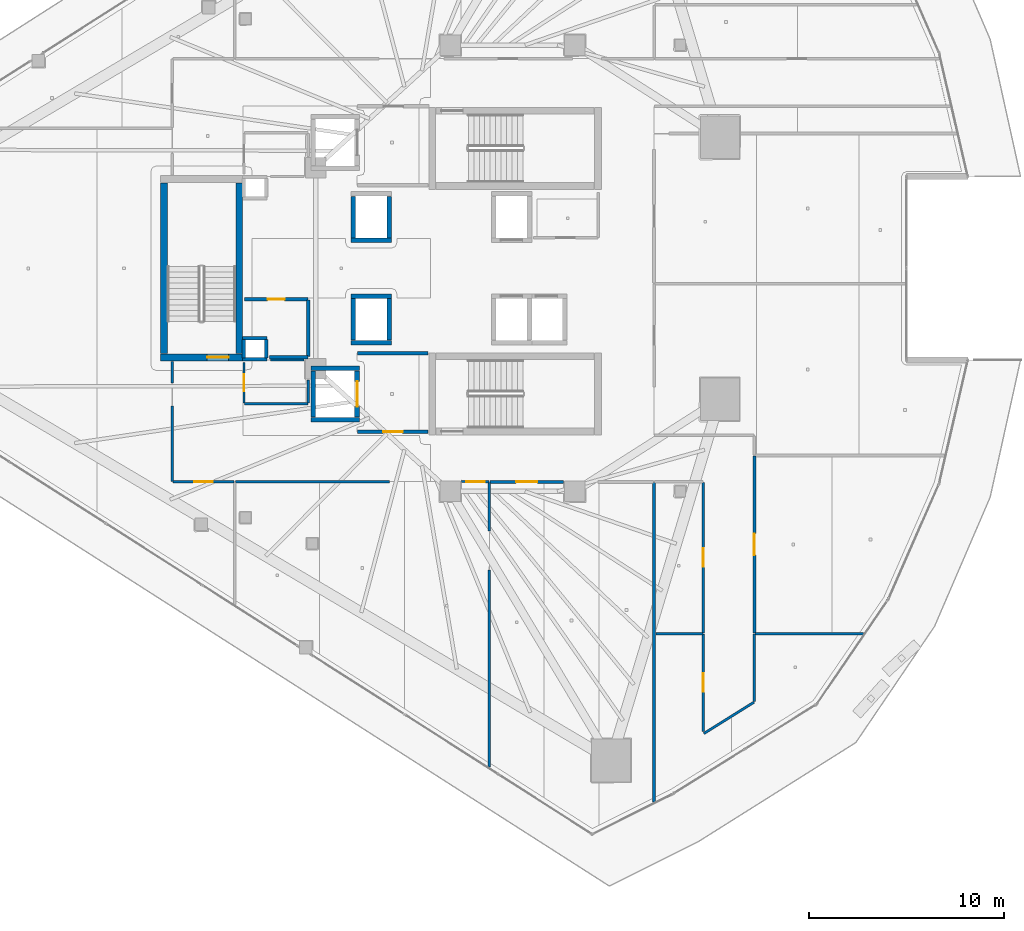
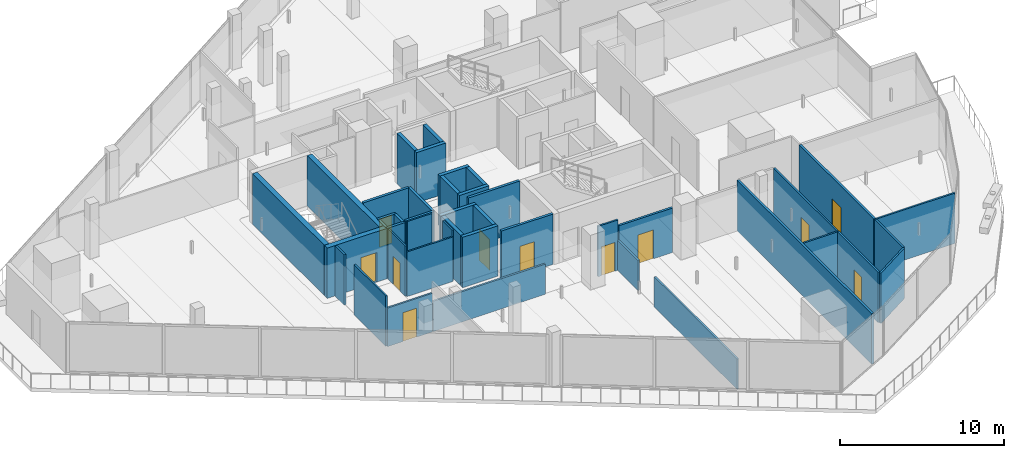
# One storey, part 24 of 36: 43 walls, 11 doors, 11 openings.
"""IFC4 building model written with IfcOpenShell, lengths in metres."""

from ifc_helpers import new_model, si_unit, direction, frame, frame_2d, origin, place, context, subcontext, project, spatial, rectangle, extrude, material, layer, layer_set, type_object, element, fill, save


model = new_model("IFC4")

# Units and contexts
model_context = context("Model", 3, precision=1e-05, world=origin(), true_north=direction((0.0, 1.0)))
body_context = subcontext(model_context, "Body", "Model", "MODEL_VIEW")
ifc_project = project(units=[si_unit("LENGTHUNIT", "METRE"), si_unit("AREAUNIT", "SQUARE_METRE"), si_unit("VOLUMEUNIT", "CUBIC_METRE"), si_unit("PLANEANGLEUNIT", "RADIAN"), si_unit("MASSUNIT", "GRAM", prefix="KILO")], contexts=[model_context])

# Site, building, storey
site_placement = place(None, origin())
site = spatial("IfcSite", under=ifc_project, at=site_placement, CompositionType="ELEMENT")
building_placement = place(site_placement, origin())
building = spatial("IfcBuilding", under=site, at=building_placement, Name="Qorvath Tower", CompositionType="ELEMENT")
storey_placement = place(building_placement, frame((0.0, 0.0, 170.550048828125)))
storey = spatial("IfcBuildingStorey", under=building, at=storey_placement, Name="L39", CompositionType="ELEMENT", Elevation=170.550048828125)

# Walls
ifc_material_1 = material(Name="Gypsum shaftliner on steel studs", Category="steel")
ifc_layer_1 = layer(ifc_material_1, 0.179931640625)
ifc_layer_set_1 = layer_set([ifc_layer_1], Name="FW-LOBBY")
wall_type_1 = type_object("IfcWallType", Name="FW-LOBBY", PredefinedType="PARTITIONING", material=ifc_layer_set_1)
for number, where, z_axis, x_axis, name in (
    (1, (-32.989990234375, -4.675048828125, 0.0), (0.0, 0.0, 1.0), (-1.0, 0.0, 0.0), "MEP Riser Shaft Enclosure Wall S-L39-S"),
    (2, (-34.260009765625, -3.594970703125, 0.0), (0.0, 0.0, 1.0), (1.0, 0.0, 0.0), "MEP Riser Shaft Enclosure Wall S-L39-N"),
):
    element("IfcWall", number, at=place(storey_placement, frame(where, z_axis=z_axis, x_axis=x_axis)), inside=storey, type_object=wall_type_1, Name=name, PredefinedType="PARTITIONING", context=body_context, shape_type="SweptSolid", body=[
        extrude(rectangle(XDim=1.27001953125, YDim=0.179931640625, at=frame_2d((0.635009765625, 0.0))), origin(), (0.0, 0.0, 1.0), 3.75),
    ])
for number, where, z_axis, x_axis, name in (
    (3, (-34.205078125, -4.610107421875, 0.0), (0.0, 0.0, 1.0), (0.0, 1.0, 0.0), "MEP Riser Shaft Enclosure Wall S-L39-W"),
    (4, (-33.044921875, -3.659912109375, 0.0), (0.0, 0.0, 1.0), (0.0, -1.0, 0.0), "MEP Riser Shaft Enclosure Wall S-L39-E"),
):
    element("IfcWall", number, at=place(storey_placement, frame(where, z_axis=z_axis, x_axis=x_axis)), inside=storey, type_object=wall_type_1, Name=name, PredefinedType="PARTITIONING", context=body_context, shape_type="SweptSolid", body=[
        extrude(rectangle(XDim=0.9501953125, YDim=0.179931640625, at=frame_2d((0.47509765625, 0.0))), origin(), (0.0, 0.0, 1.0), 3.75),
    ])

# Wall, opening, door
wall_1_placement = place(storey_placement, frame((-28.35498046875, -8.39990234375, 0.0), z_axis=(0.0, 0.0, 1.0), x_axis=(1.0, 0.0, 0.0)))
wall_1 = element("IfcWall", 5, at=wall_1_placement, inside=storey, type_object=wall_type_1, Name="Interior Partition IW-T1-L39-003", PredefinedType="PARTITIONING", context=body_context, shape_type="SweptSolid", body=[
    extrude(rectangle(XDim=3.6220703125, YDim=0.179931640625, at=frame_2d((1.81103515625, 0.0))), origin(), (0.0, 0.0, 1.0), 3.75),
])
opening_1_placement = place(wall_1_placement, frame((1.31103515625, 0.0, 0.0)))
opening_1 = element("IfcOpeningElement", 6, at=opening_1_placement, cuts=wall_1, Name="Opening D-T1-L39-15", PredefinedType="OPENING", context=body_context, shape_type="SweptSolid", body=[
    extrude(rectangle(XDim=1.0, YDim=2.14990234375, at=frame_2d((0.5, 1.074951171875))), frame((0.0, 0.10009765625, 0.0), z_axis=(0.0, -1.0, 0.0), x_axis=(1.0, 0.0, 0.0)), (0.0, 0.0, 1.0), 0.199951171875),
])
ifc_material_2 = material(Name="Painted galvanised hollow metal", Category="steel")
door_type_1 = type_object("IfcDoorType", Name="FD-60", OperationType="NOTDEFINED", PredefinedType="DOOR", material=ifc_material_2)
door_1_placement = place(opening_1_placement, origin())
door_1 = element("IfcDoor", 7, at=door_1_placement, inside=storey, type_object=door_type_1, Name="Lobby Fire Service Elevator South Door D-T1-L39-15", OperationType="SINGLE_SWING_RIGHT", OverallHeight=2.14990234375, OverallWidth=1.0, PredefinedType="DOOR", context=body_context, shape_type="SweptSolid", body=[
    extrude(rectangle(XDim=1.0, YDim=2.14990234375, at=frame_2d((0.5, 1.074951171875))), frame((0.0, 0.02490234375, 0.0), z_axis=(0.0, -1.0, 0.0), x_axis=(1.0, 0.0, 0.0)), (0.0, 0.0, 1.0), 0.050048828125),
])
fill(opening_1, door_1)

# Walls
wall_2_placement = place(storey_placement, frame((-24.73291015625, -4.35009765625, 0.0), z_axis=(0.0, 0.0, 1.0), x_axis=(-1.0, 0.0, 0.0)))
element("IfcWall", 8, at=wall_2_placement, inside=storey, type_object=wall_type_1, Name="Interior Partition IW-T1-L39-004", PredefinedType="PARTITIONING", context=body_context, shape_type="SweptSolid", body=[
    extrude(rectangle(XDim=3.6220703125, YDim=0.179931640625, at=frame_2d((1.81103515625, 0.0))), origin(), (0.0, 0.0, 1.0), 3.75),
])
wall_3_placement = place(storey_placement, frame((-32.8798828125, -4.56005859375, 0.0), z_axis=(0.0, 0.0, 1.0), x_axis=(1.0, 0.0, 0.0)))
element("IfcWall", 9, at=wall_3_placement, inside=storey, type_object=wall_type_1, Name="Interior Partition IW-T1-L39-015", PredefinedType="PARTITIONING", context=body_context, shape_type="SweptSolid", body=[
    extrude(rectangle(XDim=1.97509765625, YDim=0.179931640625, at=frame_2d((0.987548828125, 0.0))), origin(), (0.0, 0.0, 1.0), 3.75),
])
wall_4_placement = place(storey_placement, frame((-30.8798828125, -4.53515625, 0.0), z_axis=(0.0, 0.0, 1.0), x_axis=(0.0, 1.0, 0.0)))
element("IfcWall", 10, at=wall_4_placement, inside=storey, type_object=wall_type_1, Name="Interior Partition IW-T1-L39-016", PredefinedType="PARTITIONING", context=body_context, shape_type="SweptSolid", body=[
    extrude(rectangle(XDim=2.91015625, YDim=0.179931640625, at=frame_2d((1.455078125, 0.0))), origin(), (0.0, 0.0, 1.0), 3.75),
])

# Wall, opening, door
wall_5_placement = place(storey_placement, frame((-30.90478515625, -1.60009765625, 0.0), z_axis=(0.0, 0.0, 1.0), x_axis=(-1.0, 0.0, 0.0)))
wall_5 = element("IfcWall", 11, at=wall_5_placement, inside=storey, type_object=wall_type_1, Name="Interior Partition IW-T1-L39-017", PredefinedType="PARTITIONING", context=body_context, shape_type="SweptSolid", body=[
    extrude(rectangle(XDim=3.25, YDim=0.179931640625, at=frame_2d((1.625, 0.0))), origin(), (0.0, 0.0, 1.0), 3.75),
])
opening_2_placement = place(wall_5_placement, frame((1.18505859375, 0.0, 0.0)))
opening_2 = element("IfcOpeningElement", 12, at=opening_2_placement, cuts=wall_5, Name="Opening D-T1-L39-04", PredefinedType="OPENING", context=body_context, shape_type="SweptSolid", body=[
    extrude(rectangle(XDim=0.8798828125, YDim=2.10009765625, at=frame_2d((0.43994140625, 1.050048828125))), frame((0.0, 0.10009765625, 0.0), z_axis=(0.0, -1.0, 0.0), x_axis=(1.0, 0.0, 0.0)), (0.0, 0.0, 1.0), 0.199951171875),
])
ifc_material_3 = material(Name="Painted galvanised hollow metal", Category="steel")
door_type_2 = type_object("IfcDoorType", Name="FD-60N", OperationType="NOTDEFINED", PredefinedType="DOOR", material=ifc_material_3)
door_2_placement = place(opening_2_placement, origin())
door_2 = element("IfcDoor", 13, at=door_2_placement, inside=storey, type_object=door_type_2, Name="Core electrical and cleaner room L39 Door D-T1-L39-04", OperationType="SINGLE_SWING_LEFT", OverallHeight=2.10009765625, OverallWidth=0.8798828125, PredefinedType="DOOR", context=body_context, shape_type="SweptSolid", body=[
    extrude(rectangle(XDim=0.8798828125, YDim=2.10009765625, at=frame_2d((0.43994140625, 1.050048828125))), frame((0.0, 0.02490234375, 0.0), z_axis=(0.0, -1.0, 0.0), x_axis=(1.0, 0.0, 0.0)), (0.0, 0.0, 1.0), 0.050048828125),
])
fill(opening_2, door_2)

ifc_material_4 = material(Name="Double acoustic gypsum board on steel studs", Category="steel")
ifc_layer_2 = layer(ifc_material_4, 0.159912109375)
ifc_layer_set_2 = layer_set([ifc_layer_2], Name="IW-ACOUSTIC-160")
wall_type_2 = type_object("IfcWallType", Name="IW-ACOUSTIC-160", PredefinedType="PARTITIONING", material=ifc_layer_set_2)
wall_6_placement = place(storey_placement, frame((-17.7900390625, -10.9580078125, 0.0), z_axis=(0.0, 0.0, 1.0), x_axis=(-1.0, 0.0, 0.0)))
wall_6 = element("IfcWall", 14, at=wall_6_placement, inside=storey, type_object=wall_type_2, Name="Interior Partition IW-T1-L39-029", PredefinedType="PARTITIONING", context=body_context, shape_type="SweptSolid", body=[
    extrude(rectangle(XDim=3.7646484375, YDim=0.159912109375, at=frame_2d((1.88232421875, 0.0))), origin(), (0.0, 0.0, 1.0), 3.313720703125),
])
opening_3_placement = place(wall_6_placement, frame((1.332275390625, 0.0, 0.0)))
opening_3 = element("IfcOpeningElement", 15, at=opening_3_placement, cuts=wall_6, Name="Opening D-T1-L39-06", PredefinedType="OPENING", context=body_context, shape_type="SweptSolid", body=[
    extrude(rectangle(XDim=1.10009765625, YDim=2.14990234375, at=frame_2d((0.550048828125, 1.074951171875))), frame((0.0, 0.08984375, 0.0), z_axis=(0.0, -1.0, 0.0), x_axis=(1.0, 0.0, 0.0)), (0.0, 0.0, 1.0), 0.179931640625),
])
ifc_material_5 = material(Name="Anodised aluminium acoustic framed glass", Category="aluminium")
door_type_3 = type_object("IfcDoorType", Name="D-03", OperationType="NOTDEFINED", PredefinedType="DOOR", material=ifc_material_5)
door_3_placement = place(opening_3_placement, origin())
door_3 = element("IfcDoor", 16, at=door_3_placement, inside=storey, type_object=door_type_3, Name="L39-03 Digital Visualization Suite Door D-T1-L39-06", OperationType="SINGLE_SWING_LEFT", OverallHeight=2.14990234375, OverallWidth=1.10009765625, PredefinedType="DOOR", context=body_context, shape_type="SweptSolid", body=[
    extrude(rectangle(XDim=1.10009765625, YDim=2.14990234375, at=frame_2d((0.550048828125, 1.074951171875))), frame((0.0, 0.02490234375, 0.0), z_axis=(0.0, -1.0, 0.0), x_axis=(1.0, 0.0, 0.0)), (0.0, 0.0, 1.0), 0.050048828125),
])
fill(opening_3, door_3)

# Wall
wall_7_placement = place(storey_placement, frame((-13.14990234375, -27.37939453125, 0.0), z_axis=(0.0, 0.0, 1.0), x_axis=(0.0, 1.0, 0.0)))
element("IfcWall", 17, at=wall_7_placement, inside=storey, type_object=wall_type_2, Name="Interior Partition IW-T1-L39-030", PredefinedType="PARTITIONING", context=body_context, shape_type="SweptSolid", body=[
    extrude(rectangle(XDim=16.396484375, YDim=0.159912109375, at=frame_2d((8.1982421875, 0.0))), origin(), (0.0, 0.0, 1.0), 3.75),
])

# Wall, opening, door
wall_8_placement = place(storey_placement, frame((-7.991943359375, -9.626708984375, 0.0), z_axis=(0.0, 0.0, 1.0), x_axis=(0.0, -1.0, 0.0)))
wall_8 = element("IfcWall", 18, at=wall_8_placement, inside=storey, type_object=wall_type_2, Name="Interior Partition IW-T1-L39-038", PredefinedType="PARTITIONING", context=body_context, shape_type="SweptSolid", body=[
    extrude(rectangle(XDim=9.08447265625, YDim=0.159912109375, at=frame_2d((4.542236328125, 0.0))), origin(), (0.0, 0.0, 1.0), 3.75),
])
opening_4_placement = place(wall_8_placement, frame((3.9921875, 0.0, 0.0)))
opening_4 = element("IfcOpeningElement", 19, at=opening_4_placement, cuts=wall_8, Name="Opening D-T1-L39-08", PredefinedType="OPENING", context=body_context, shape_type="SweptSolid", body=[
    extrude(rectangle(XDim=1.10009765625, YDim=2.14990234375, at=frame_2d((0.550048828125, 1.074951171875))), frame((0.0, 0.08984375, 0.0), z_axis=(0.0, -1.0, 0.0), x_axis=(1.0, 0.0, 0.0)), (0.0, 0.0, 1.0), 0.179931640625),
])
door_4_placement = place(opening_4_placement, origin())
door_4 = element("IfcDoor", 20, at=door_4_placement, inside=storey, type_object=door_type_3, Name="L39-05 Team Project Office Door D-T1-L39-08", OperationType="SINGLE_SWING_LEFT", OverallHeight=2.14990234375, OverallWidth=1.10009765625, PredefinedType="DOOR", context=body_context, shape_type="SweptSolid", body=[
    extrude(rectangle(XDim=1.10009765625, YDim=2.14990234375, at=frame_2d((0.550048828125, 1.074951171875))), frame((0.0, 0.02490234375, 0.0), z_axis=(0.0, -1.0, 0.0), x_axis=(1.0, 0.0, 0.0)), (0.0, 0.0, 1.0), 0.050048828125),
])
fill(opening_4, door_4)

# Walls
ifc_material_6 = material(Name="Gypsum board on metal studs with mineral wool", Category="gypsum")
ifc_layer_3 = layer(ifc_material_6, 0.125)
ifc_layer_set_3 = layer_set([ifc_layer_3], Name="IW-PART-125")
wall_type_3 = type_object("IfcWallType", Name="IW-PART-125", PredefinedType="PARTITIONING", material=ifc_layer_set_3)
wall_9_placement = place(storey_placement, frame((-26.71630859375, -10.943359375, 0.0), z_axis=(0.0, 0.0, 1.0), x_axis=(-0.999998284692, -0.001852191674, 0.0)))
element("IfcWall", 21, at=wall_9_placement, inside=storey, type_object=wall_type_3, Name="Interior Partition IW-T1-L39-024", PredefinedType="PARTITIONING", context=body_context, shape_type="SweptSolid", body=[
    extrude(rectangle(XDim=7.90869140625, YDim=0.125, at=frame_2d((3.954345703125, 0.0))), origin(), (0.0, 0.0, 1.0), 2.25),
])
wall_10_placement = place(storey_placement, frame((-21.602294921875, -25.5869140625, 0.0), z_axis=(0.0, 0.0, 1.0), x_axis=(0.000991463252, 0.9999995085, 0.0)))
element("IfcWall", 22, at=wall_10_placement, inside=storey, type_object=wall_type_3, Name="Interior Partition IW-T1-L39-026", PredefinedType="PARTITIONING", context=body_context, shape_type="SweptSolid", body=[
    extrude(rectangle(XDim=10.095947265625, YDim=0.125, at=frame_2d((5.0478515625, 0.0))), origin(), (0.0, 0.0, 1.0), 2.25),
])
wall_11_placement = place(storey_placement, frame((-21.59033203125, -13.485595703125, 0.0), z_axis=(0.0, 0.0, 1.0), x_axis=(0.00097551412, 0.999999524186, 0.0)))
element("IfcWall", 23, at=wall_11_placement, inside=storey, type_object=wall_type_3, Name="Interior Partition IW-T1-L39-027", PredefinedType="PARTITIONING", context=body_context, shape_type="SweptSolid", body=[
    extrude(rectangle(XDim=2.502685546875, YDim=0.125, at=frame_2d((1.25146484375, 0.0))), origin(), (0.0, 0.0, 1.0), 2.25),
])

# Wall, opening, door
wall_12_placement = place(storey_placement, frame((-21.61279296875, -10.957763671875, 0.0), z_axis=(0.0, 0.0, 1.0), x_axis=(-0.999907135181, 0.013627949772, 0.0)))
wall_12 = element("IfcWall", 24, at=wall_12_placement, inside=storey, type_object=wall_type_3, Name="Interior Partition IW-T1-L39-028", PredefinedType="PARTITIONING", context=body_context, shape_type="SweptSolid", body=[
    extrude(rectangle(XDim=1.3974609375, YDim=0.125, at=frame_2d((0.69873046875, 0.0))), origin(), (0.0, 0.0, 1.0), 3.75),
])
opening_5_placement = place(wall_12_placement, frame((0.2236328125, 0.0, 0.0)))
opening_5 = element("IfcOpeningElement", 25, at=opening_5_placement, cuts=wall_12, Name="Opening D-T1-L39-13", PredefinedType="OPENING", context=body_context, shape_type="SweptSolid", body=[
    extrude(rectangle(XDim=0.949951171875, YDim=2.14990234375, at=frame_2d((0.47509765625, 1.074951171875))), frame((0.0, 0.072509765625, 0.0), z_axis=(0.0, -1.0, 0.0), x_axis=(1.0, 0.0, 0.0)), (0.0, 0.0, 1.0), 0.14501953125),
])
ifc_material_7 = material(Name="Solid-core American white oak veneer", Category="wood")
door_type_4 = type_object("IfcDoorType", Name="D-01", OperationType="NOTDEFINED", PredefinedType="DOOR", material=ifc_material_7)
door_5_placement = place(opening_5_placement, origin())
door_5 = element("IfcDoor", 26, at=door_5_placement, inside=storey, type_object=door_type_4, Name="L39-02 Executive Partner Office Door D-T1-L39-13", OperationType="SINGLE_SWING_RIGHT", OverallHeight=2.14990234375, OverallWidth=0.949951171875, PredefinedType="DOOR", context=body_context, shape_type="SweptSolid", body=[
    extrude(rectangle(XDim=0.949951171875, YDim=2.14990234375, at=frame_2d((0.47509765625, 1.074951171875))), frame((0.0, 0.02490234375, 0.0), z_axis=(0.0, -1.0, 0.0), x_axis=(1.0, 0.0, 0.0)), (0.0, 0.0, 1.0), 0.050048828125),
])
fill(opening_5, door_5)

# Walls
wall_13_placement = place(storey_placement, frame((-2.39990234375, -18.744140625, 0.0), z_axis=(0.0, 0.0, 1.0), x_axis=(-1.0, 0.0, 0.0)))
element("IfcWall", 27, at=wall_13_placement, inside=storey, type_object=wall_type_3, Name="Interior Partition IW-T1-L39-032", PredefinedType="PARTITIONING", context=body_context, shape_type="SweptSolid", body=[
    extrude(rectangle(XDim=5.56689453125, YDim=0.125, at=frame_2d((2.783447265625, 0.0))), origin(), (0.0, 0.0, 1.0), 3.75),
])
wall_14_placement = place(storey_placement, frame((-7.991943359375, -22.2255859375, 0.0), z_axis=(0.0, 0.0, 1.0), x_axis=(0.0, 1.0, 0.0)))
element("IfcWall", 28, at=wall_14_placement, inside=storey, type_object=wall_type_3, Name="Interior Partition IW-T1-L39-033", PredefinedType="PARTITIONING", context=body_context, shape_type="SweptSolid", body=[
    extrude(rectangle(XDim=3.45654296875, YDim=0.125, at=frame_2d((1.728271484375, 0.0))), origin(), (0.0, 0.0, 1.0), 3.75),
])
wall_15_placement = place(storey_placement, frame((-10.586669921875, -23.86962890625, 0.0), z_axis=(0.0, 0.0, 1.0), x_axis=(0.848364341402, 0.529412829688, 0.0)))
element("IfcWall", 29, at=wall_15_placement, inside=storey, type_object=wall_type_3, Name="Interior Partition IW-T1-L39-034", PredefinedType="PARTITIONING", context=body_context, shape_type="SweptSolid", body=[
    extrude(rectangle(XDim=3.033447265625, YDim=0.125, at=frame_2d((1.5166015625, 0.0))), origin(), (0.0, 0.0, 1.0), 3.75),
])

# Wall, opening, door
wall_16_placement = place(storey_placement, frame((-10.60791015625, -18.76904296875, 0.0), z_axis=(0.0, 0.0, 1.0), x_axis=(0.0, -1.0, 0.0)))
wall_16 = element("IfcWall", 30, at=wall_16_placement, inside=storey, type_object=wall_type_3, Name="Interior Partition IW-T1-L39-035", PredefinedType="PARTITIONING", context=body_context, shape_type="SweptSolid", body=[
    extrude(rectangle(XDim=4.988525390625, YDim=0.125, at=frame_2d((2.494140625, 0.0))), origin(), (0.0, 0.0, 1.0), 3.75),
])
opening_6_placement = place(wall_16_placement, frame((2.019287109375, 0.0, 0.0)))
opening_6 = element("IfcOpeningElement", 31, at=opening_6_placement, cuts=wall_16, Name="Opening D-T1-L39-07", PredefinedType="OPENING", context=body_context, shape_type="SweptSolid", body=[
    extrude(rectangle(XDim=0.949951171875, YDim=2.14990234375, at=frame_2d((0.47509765625, 1.074951171875))), frame((0.0, 0.072509765625, 0.0), z_axis=(0.0, -1.0, 0.0), x_axis=(1.0, 0.0, 0.0)), (0.0, 0.0, 1.0), 0.14501953125),
])
door_6_placement = place(opening_6_placement, origin())
door_6 = element("IfcDoor", 32, at=door_6_placement, inside=storey, type_object=door_type_4, Name="L39-04 Quantitative Research Studio Door D-T1-L39-07", OperationType="SINGLE_SWING_RIGHT", OverallHeight=2.14990234375, OverallWidth=0.949951171875, PredefinedType="DOOR", context=body_context, shape_type="SweptSolid", body=[
    extrude(rectangle(XDim=0.949951171875, YDim=2.14990234375, at=frame_2d((0.47509765625, 1.074951171875))), frame((0.0, 0.02490234375, 0.0), z_axis=(0.0, -1.0, 0.0), x_axis=(1.0, 0.0, 0.0)), (0.0, 0.0, 1.0), 0.050048828125),
])
fill(opening_6, door_6)

# Wall
wall_17_placement = place(storey_placement, frame((-10.6328125, -18.744140625, 0.0), z_axis=(0.0, 0.0, 1.0), x_axis=(-1.0, 0.0, 0.0)))
element("IfcWall", 33, at=wall_17_placement, inside=storey, type_object=wall_type_3, Name="Interior Partition IW-T1-L39-036", PredefinedType="PARTITIONING", context=body_context, shape_type="SweptSolid", body=[
    extrude(rectangle(XDim=2.406982421875, YDim=0.125, at=frame_2d((1.20361328125, 0.0))), origin(), (0.0, 0.0, 1.0), 3.75),
])

# Wall, opening, door
wall_18_placement = place(storey_placement, frame((-10.60791015625, -18.711181640625, 0.0), z_axis=(0.0, 0.0, 1.0), x_axis=(0.0, 1.0, 0.0)))
wall_18 = element("IfcWall", 34, at=wall_18_placement, inside=storey, type_object=wall_type_3, Name="Interior Partition IW-T1-L39-039", PredefinedType="PARTITIONING", context=body_context, shape_type="SweptSolid", body=[
    extrude(rectangle(XDim=7.728271484375, YDim=0.125, at=frame_2d((3.8642578125, 0.0))), origin(), (0.0, 0.0, 1.0), 3.75),
])
opening_7_placement = place(wall_18_placement, frame((3.38916015625, 0.0, 0.0)))
opening_7 = element("IfcOpeningElement", 35, at=opening_7_placement, cuts=wall_18, Name="Opening D-T1-L39-09", PredefinedType="OPENING", context=body_context, shape_type="SweptSolid", body=[
    extrude(rectangle(XDim=0.949951171875, YDim=2.14990234375, at=frame_2d((0.47509765625, 1.074951171875))), frame((0.0, 0.072509765625, 0.0), z_axis=(0.0, -1.0, 0.0), x_axis=(1.0, 0.0, 0.0)), (0.0, 0.0, 1.0), 0.14501953125),
])
door_7_placement = place(opening_7_placement, origin())
door_7 = element("IfcDoor", 36, at=door_7_placement, inside=storey, type_object=door_type_4, Name="L39-06 Engineering Documentation Suite Door D-T1-L39-09", OperationType="SINGLE_SWING_RIGHT", OverallHeight=2.14990234375, OverallWidth=0.949951171875, PredefinedType="DOOR", context=body_context, shape_type="SweptSolid", body=[
    extrude(rectangle(XDim=0.949951171875, YDim=2.14990234375, at=frame_2d((0.47509765625, 1.074951171875))), frame((0.0, 0.02490234375, 0.0), z_axis=(0.0, -1.0, 0.0), x_axis=(1.0, 0.0, 0.0)), (0.0, 0.0, 1.0), 0.050048828125),
])
fill(opening_7, door_7)

wall_19_placement = place(storey_placement, frame((-37.8330078125, -10.9580078125, 0.0), z_axis=(0.0, 0.0, 1.0), x_axis=(1.0, 0.0, 0.0)))
wall_19 = element("IfcWall", 37, at=wall_19_placement, inside=storey, type_object=wall_type_3, Name="Interior Partition IW-T1-L39-050", PredefinedType="PARTITIONING", context=body_context, shape_type="SweptSolid", body=[
    extrude(rectangle(XDim=3.14990234375, YDim=0.125, at=frame_2d((1.574951171875, 0.0))), origin(), (0.0, 0.0, 1.0), 2.869873046875),
])
opening_8_placement = place(wall_19_placement, frame((1.099853515625, 0.0, 0.0)))
opening_8 = element("IfcOpeningElement", 38, at=opening_8_placement, cuts=wall_19, Name="Opening D-T1-L39-11", PredefinedType="OPENING", context=body_context, shape_type="SweptSolid", body=[
    extrude(rectangle(XDim=0.949951171875, YDim=2.14990234375, at=frame_2d((0.47509765625, 1.074951171875))), frame((0.0, 0.072509765625, 0.0), z_axis=(0.0, -1.0, 0.0), x_axis=(1.0, 0.0, 0.0)), (0.0, 0.0, 1.0), 0.14501953125),
])
door_8_placement = place(opening_8_placement, origin())
door_8 = element("IfcDoor", 39, at=door_8_placement, inside=storey, type_object=door_type_4, Name="L39-10 Project Collaboration Workspace Door D-T1-L39-11", OperationType="SINGLE_SWING_RIGHT", OverallHeight=2.14990234375, OverallWidth=0.949951171875, PredefinedType="DOOR", context=body_context, shape_type="SweptSolid", body=[
    extrude(rectangle(XDim=0.949951171875, YDim=2.14990234375, at=frame_2d((0.47509765625, 1.074951171875))), frame((0.0, 0.02490234375, 0.0), z_axis=(0.0, -1.0, 0.0), x_axis=(1.0, 0.0, 0.0)), (0.0, 0.0, 1.0), 0.050048828125),
])
fill(opening_8, door_8)

# Walls
wall_20_placement = place(storey_placement, frame((-37.85791015625, -10.93310546875, 0.0), z_axis=(0.0, 0.0, 1.0), x_axis=(0.0, 1.0, 0.0)))
element("IfcWall", 40, at=wall_20_placement, inside=storey, type_object=wall_type_3, Name="Interior Partition IW-T1-L39-051", PredefinedType="PARTITIONING", context=body_context, shape_type="SweptSolid", body=[
    extrude(rectangle(XDim=3.86083984375, YDim=0.125, at=frame_2d((1.930419921875, 0.0))), origin(), (0.0, 0.0, 1.0), 3.75),
])
wall_21_placement = place(storey_placement, frame((-37.85791015625, -5.87841796875, 0.0), z_axis=(0.0, 0.0, 1.0), x_axis=(0.0, 1.0, 0.0)))
element("IfcWall", 41, at=wall_21_placement, inside=storey, type_object=wall_type_3, Name="Interior Partition IW-T1-L39-052", PredefinedType="PARTITIONING", context=body_context, shape_type="SweptSolid", body=[
    extrude(rectangle(XDim=1.09521484375, YDim=0.125, at=frame_2d((0.547607421875, 0.0))), origin(), (0.0, 0.0, 1.0), 3.75),
])
ifc_material_8 = material(Name="Moisture-resistant cement board on metal studs", Category="gypsum")
ifc_layer_4 = layer(ifc_material_8, 0.110107421875)
ifc_layer_set_4 = layer_set([ifc_layer_4], Name="IW-WC-110")
wall_type_4 = type_object("IfcWallType", Name="IW-WC-110", PredefinedType="PARTITIONING", material=ifc_layer_set_4)
wall_22_placement = place(storey_placement, frame((-34.15478515625, -6.949951171875, 0.0), z_axis=(0.0, 0.0, 1.0), x_axis=(1.0, 0.0, 0.0)))
element("IfcWall", 42, at=wall_22_placement, inside=storey, type_object=wall_type_4, Name="Interior Partition IW-T1-L39-009", PredefinedType="PARTITIONING", context=body_context, shape_type="SweptSolid", body=[
    extrude(rectangle(XDim=3.25, YDim=0.110107421875, at=frame_2d((1.625, 0.0))), origin(), (0.0, 0.0, 1.0), 3.313720703125),
])
wall_23_placement = place(storey_placement, frame((-30.8798828125, -6.925048828125, 0.0), z_axis=(0.0, 0.0, 1.0), x_axis=(0.0, 1.0, 0.0)))
element("IfcWall", 43, at=wall_23_placement, inside=storey, type_object=wall_type_4, Name="Interior Partition IW-T1-L39-010", PredefinedType="PARTITIONING", context=body_context, shape_type="SweptSolid", body=[
    extrude(rectangle(XDim=1.18505859375, YDim=0.110107421875, at=frame_2d((0.592529296875, 0.0))), origin(), (0.0, 0.0, 1.0), 3.75),
])
wall_24_placement = place(storey_placement, frame((-31.090087890625, -4.699951171875, 0.0), z_axis=(0.0, 0.0, 1.0), x_axis=(-1.0, 0.0, 0.0)))
element("IfcWall", 44, at=wall_24_placement, inside=storey, type_object=wall_type_4, Name="Interior Partition IW-T1-L39-011", PredefinedType="PARTITIONING", context=body_context, shape_type="SweptSolid", body=[
    extrude(rectangle(XDim=1.7373046875, YDim=0.110107421875, at=frame_2d((0.86865234375, 0.0))), origin(), (0.0, 0.0, 1.0), 3.75),
])

# Wall, opening, door
wall_25_placement = place(storey_placement, frame((-34.179931640625, -4.840087890625, 0.0), z_axis=(0.0, 0.0, 1.0), x_axis=(0.0, -1.0, 0.0)))
wall_25 = element("IfcWall", 45, at=wall_25_placement, inside=storey, type_object=wall_type_4, Name="Interior Partition IW-T1-L39-012", PredefinedType="PARTITIONING", context=body_context, shape_type="SweptSolid", body=[
    extrude(rectangle(XDim=2.0849609375, YDim=0.110107421875, at=frame_2d((1.04248046875, 0.0))), origin(), (0.0, 0.0, 1.0), 3.75),
])
opening_9_placement = place(wall_25_placement, frame((0.6025390625, 0.0, 0.0)))
opening_9 = element("IfcOpeningElement", 46, at=opening_9_placement, cuts=wall_25, Name="Opening D-T1-L39-02", PredefinedType="OPENING", context=body_context, shape_type="SweptSolid", body=[
    extrude(rectangle(XDim=0.8798828125, YDim=2.10009765625, at=frame_2d((0.43994140625, 1.050048828125))), frame((0.0, 0.06494140625, 0.0), z_axis=(0.0, -1.0, 0.0), x_axis=(1.0, 0.0, 0.0)), (0.0, 0.0, 1.0), 0.130126953125),
])
ifc_material_9 = material(Name="Solid-core oak with acoustic drop seal", Category="wood")
door_type_5 = type_object("IfcDoorType", Name="D-02", OperationType="NOTDEFINED", PredefinedType="DOOR", material=ifc_material_9)
door_9_placement = place(opening_9_placement, origin())
door_9 = element("IfcDoor", 47, at=door_9_placement, inside=storey, type_object=door_type_5, Name="WC All-Gender South L39 Door D-T1-L39-02", OperationType="SINGLE_SWING_LEFT", OverallHeight=2.10009765625, OverallWidth=0.8798828125, PredefinedType="DOOR", context=body_context, shape_type="SweptSolid", body=[
    extrude(rectangle(XDim=0.8798828125, YDim=2.10009765625, at=frame_2d((0.43994140625, 1.050048828125))), frame((0.0, 0.02490234375, 0.0), z_axis=(0.0, -1.0, 0.0), x_axis=(1.0, 0.0, 0.0)), (0.0, 0.0, 1.0), 0.050048828125),
])
fill(opening_9, door_9)

# Walls
ifc_material_10 = material(Name="Concrete C60/75", Category="concrete")
ifc_layer_5 = layer(ifc_material_10, 0.260009765625)
ifc_layer_set_5 = layer_set([ifc_layer_5], Name="SW-SHAFT")
wall_type_5 = type_object("IfcWallType", Name="SW-SHAFT", PredefinedType="SHEAR", material=ifc_layer_set_5)
for number, where, z_axis, x_axis, name in (
    (48, (-28.260009765625, -7.77001953125, 0.0), (0.0, 0.0, 1.0), (-1.0, 0.0, 0.0), "Hoistway Wall FSAE-2 L39 S"),
    (49, (-30.739990234375, -5.1298828125, 0.0), (0.0, 0.0, 1.0), (1.0, 0.0, 0.0), "Hoistway Wall FSAE-2 L39 N"),
):
    element("IfcWall", number, at=place(storey_placement, frame(where, z_axis=z_axis, x_axis=x_axis)), inside=storey, type_object=wall_type_5, Name=name, PredefinedType="SHEAR", context=body_context, shape_type="SweptSolid", body=[
        extrude(rectangle(XDim=2.47998046875, YDim=0.239990234375, at=frame_2d((1.239990234375, 0.0))), origin(), (0.0, 0.0, 1.0), 3.75),
    ])
wall_26_placement = place(storey_placement, frame((-30.6201171875, -7.637939453125, 0.0), z_axis=(0.0, 0.0, 1.0), x_axis=(0.0, 1.0, 0.0)))
element("IfcWall", 50, at=wall_26_placement, inside=storey, type_object=wall_type_5, Name="Hoistway Wall FSAE-2 L39 W", PredefinedType="SHEAR", context=body_context, shape_type="SweptSolid", body=[
    extrude(rectangle(XDim=2.3759765625, YDim=0.239990234375, at=frame_2d((1.18798828125, 0.0))), origin(), (0.0, 0.0, 1.0), 3.75),
])

# Wall, opening, door
wall_27_placement = place(storey_placement, frame((-28.3798828125, -5.261962890625, 0.0), z_axis=(0.0, 0.0, 1.0), x_axis=(0.0, -1.0, 0.0)))
wall_27 = element("IfcWall", 51, at=wall_27_placement, inside=storey, type_object=wall_type_5, Name="Hoistway Wall FSAE-2 L39 E", PredefinedType="SHEAR", context=body_context, shape_type="SweptSolid", body=[
    extrude(rectangle(XDim=2.3759765625, YDim=0.239990234375, at=frame_2d((1.18798828125, 0.0))), origin(), (0.0, 0.0, 1.0), 3.75),
])
opening_10_placement = place(wall_27_placement, frame((0.5380859375, 0.0, 0.0)))
opening_10 = element("IfcOpeningElement", 52, at=opening_10_placement, cuts=wall_27, Name="Opening LD-FSAE-2-L39", PredefinedType="OPENING", context=body_context, shape_type="SweptSolid", body=[
    extrude(rectangle(XDim=1.300048828125, YDim=2.300048828125, at=frame_2d((0.64990234375, 1.14990234375))), frame((0.0, 0.1298828125, 0.0), z_axis=(0.0, -1.0, 0.0), x_axis=(1.0, 0.0, 0.0)), (0.0, 0.0, 1.0), 0.260009765625),
])
ifc_material_11 = material(Name="Brushed stainless steel AISI 316", Category="steel")
door_type_6 = type_object("IfcDoorType", Name="LD-02", OperationType="NOTDEFINED", PredefinedType="DOOR", material=ifc_material_11)
door_10_placement = place(opening_10_placement, origin())
door_10 = element("IfcDoor", 53, at=door_10_placement, inside=storey, type_object=door_type_6, Name="Elevator Landing Sliding Door LD-FSAE-2-L39", OperationType="DOUBLE_DOOR_SLIDING", OverallHeight=2.300048828125, OverallWidth=1.300048828125, PredefinedType="DOOR", context=body_context, shape_type="SweptSolid", body=[
    extrude(rectangle(XDim=1.300048828125, YDim=2.300048828125, at=frame_2d((0.64990234375, 1.14990234375))), frame((0.0, 0.02490234375, 0.0), z_axis=(0.0, -1.0, 0.0), x_axis=(1.0, 0.0, 0.0)), (0.0, 0.0, 1.0), 0.050048828125),
])
fill(opening_10, door_10)

# Walls
wall_28_placement = place(storey_placement, frame((-26.610107421875, 1.429931640625, 0.0), z_axis=(0.0, 0.0, 1.0), x_axis=(-1.0, 0.0, 0.0)))
element("IfcWall", 54, at=wall_28_placement, inside=storey, type_object=wall_type_5, Name="Hoistway Wall PS-1 L39 S", PredefinedType="SHEAR", context=body_context, shape_type="SweptSolid", body=[
    extrude(rectangle(XDim=2.079833984375, YDim=0.239990234375, at=frame_2d((1.0400390625, 0.0))), origin(), (0.0, 0.0, 1.0), 3.75),
])
for number, where, z_axis, x_axis, name in (
    (55, (-28.570068359375, 1.56201171875, 0.0), (0.0, 0.0, 1.0), (0.0, 1.0, 0.0), "Hoistway Wall PS-1 L39 W"),
    (56, (-26.72998046875, 3.68798828125, 0.0), (0.0, 0.0, 1.0), (0.0, -1.0, 0.0), "Hoistway Wall PS-1 L39 E"),
):
    element("IfcWall", number, at=place(storey_placement, frame(where, z_axis=z_axis, x_axis=x_axis)), inside=storey, type_object=wall_type_5, Name=name, PredefinedType="SHEAR", context=body_context, shape_type="SweptSolid", body=[
        extrude(rectangle(XDim=2.1259765625, YDim=0.239990234375, at=frame_2d((1.06298828125, 0.0))), origin(), (0.0, 0.0, 1.0), 3.75),
    ])
for number, where, z_axis, x_axis, name in (
    (57, (-26.610107421875, -3.820068359375, 0.0), (0.0, 0.0, 1.0), (-1.0, 0.0, 0.0), "Hoistway Wall PS-2 L39 S"),
    (58, (-28.68994140625, -1.429931640625, 0.0), (0.0, 0.0, 1.0), (1.0, 0.0, 0.0), "Hoistway Wall PS-2 L39 N"),
):
    element("IfcWall", number, at=place(storey_placement, frame(where, z_axis=z_axis, x_axis=x_axis)), inside=storey, type_object=wall_type_5, Name=name, PredefinedType="SHEAR", context=body_context, shape_type="SweptSolid", body=[
        extrude(rectangle(XDim=2.079833984375, YDim=0.239990234375, at=frame_2d((1.0400390625, 0.0))), origin(), (0.0, 0.0, 1.0), 3.75),
    ])
for number, where, z_axis, x_axis, name in (
    (59, (-28.570068359375, -3.68798828125, 0.0), (0.0, 0.0, 1.0), (0.0, 1.0, 0.0), "Hoistway Wall PS-2 L39 W"),
    (60, (-26.72998046875, -1.56201171875, 0.0), (0.0, 0.0, 1.0), (0.0, -1.0, 0.0), "Hoistway Wall PS-2 L39 E"),
):
    element("IfcWall", number, at=place(storey_placement, frame(where, z_axis=z_axis, x_axis=x_axis)), inside=storey, type_object=wall_type_5, Name=name, PredefinedType="SHEAR", context=body_context, shape_type="SweptSolid", body=[
        extrude(rectangle(XDim=2.1259765625, YDim=0.239990234375, at=frame_2d((1.06298828125, 0.0))), origin(), (0.0, 0.0, 1.0), 3.75),
    ])

# Wall, opening, door
ifc_material_12 = material(Name="Concrete C60/75", Category="concrete")
ifc_layer_6 = layer(ifc_material_12, 0.35009765625)
ifc_layer_set_6 = layer_set([ifc_layer_6], Name="SW-STAIR")
wall_type_6 = type_object("IfcWallType", Name="SW-STAIR", PredefinedType="SHEAR", material=ifc_layer_set_6)
wall_29_placement = place(storey_placement, frame((-38.4599609375, -4.574951171875, 0.0), z_axis=(0.0, 0.0, 1.0), x_axis=(1.0, 0.0, 0.0)))
wall_29 = element("IfcWall", 61, at=wall_29_placement, inside=storey, type_object=wall_type_6, Name="Stair TS3 Shear Wall L39 NEAR", PredefinedType="SHEAR", context=body_context, shape_type="SweptSolid", body=[
    extrude(rectangle(XDim=4.2099609375, YDim=0.35009765625, at=frame_2d((2.10498046875, 0.0))), origin(), (0.0, 0.0, 1.0), 3.75),
])
opening_11_placement = place(wall_29_placement, frame((2.389892578125, 0.0, 0.0)))
opening_11 = element("IfcOpeningElement", 62, at=opening_11_placement, cuts=wall_29, Name="Opening D-TS3-L39", PredefinedType="OPENING", context=body_context, shape_type="SweptSolid", body=[
    extrude(rectangle(XDim=1.10009765625, YDim=2.199951171875, at=frame_2d((0.550048828125, 1.10009765625))), frame((0.0, 0.18505859375, 0.0), z_axis=(0.0, -1.0, 0.0), x_axis=(1.0, 0.0, 0.0)), (0.0, 0.0, 1.0), 0.3701171875),
])
ifc_material_13 = material(Name="Painted galvanised hollow metal", Category="steel")
door_type_7 = type_object("IfcDoorType", Name="FD-90", OperationType="NOTDEFINED", PredefinedType="DOOR", material=ifc_material_13)
door_11_placement = place(opening_11_placement, origin())
door_11 = element("IfcDoor", 63, at=door_11_placement, inside=storey, type_object=door_type_7, Name="Stair TS3 Fire Door L39", OperationType="SINGLE_SWING_RIGHT", OverallHeight=2.199951171875, OverallWidth=1.10009765625, PredefinedType="DOOR", context=body_context, shape_type="SweptSolid", body=[
    extrude(rectangle(XDim=1.10009765625, YDim=2.199951171875, at=frame_2d((0.550048828125, 1.10009765625))), frame((0.0, 0.02490234375, 0.0), z_axis=(0.0, -1.0, 0.0), x_axis=(1.0, 0.0, 0.0)), (0.0, 0.0, 1.0), 0.050048828125),
])
fill(opening_11, door_11)

# Walls
for number, where, z_axis, x_axis, name in (
    (64, (-34.425048828125, -4.385009765625, 0.0), (0.0, 0.0, 1.0), (0.0, 1.0, 0.0), "Stair TS3 Shear Wall L39 LEFT"),
    (65, (-38.284912109375, 4.385009765625, 0.0), (0.0, 0.0, 1.0), (0.0, -1.0, 0.0), "Stair TS3 Shear Wall L39 RIGHT"),
):
    element("IfcWall", number, at=place(storey_placement, frame(where, z_axis=z_axis, x_axis=x_axis)), inside=storey, type_object=wall_type_6, Name=name, PredefinedType="SHEAR", context=body_context, shape_type="SweptSolid", body=[
        extrude(rectangle(XDim=8.77001953125, YDim=0.35009765625, at=frame_2d((4.385009765625, 0.0))), origin(), (0.0, 0.0, 1.0), 3.75),
    ])

save(model, "model.ifc")
